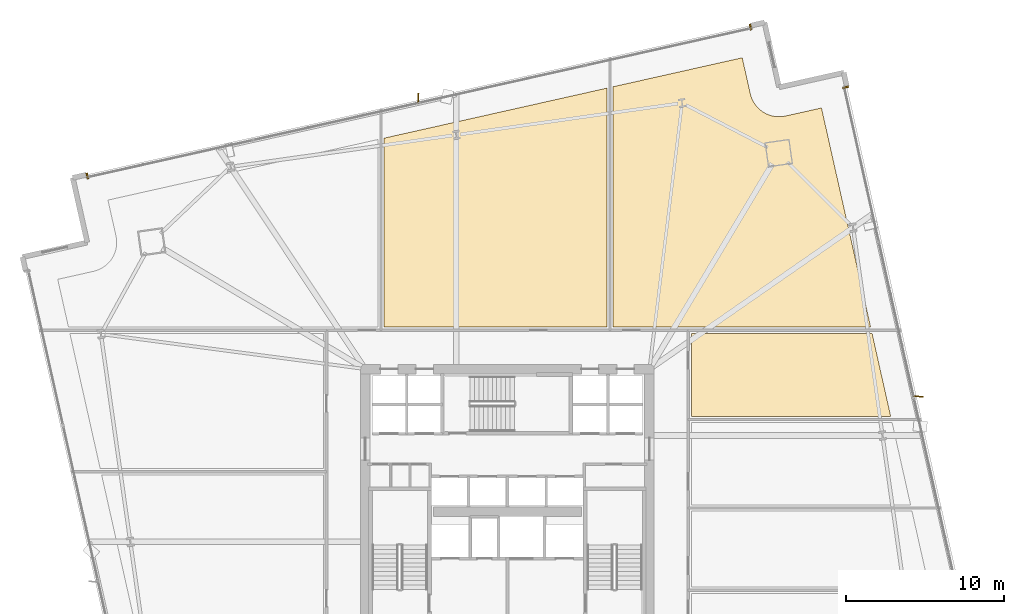
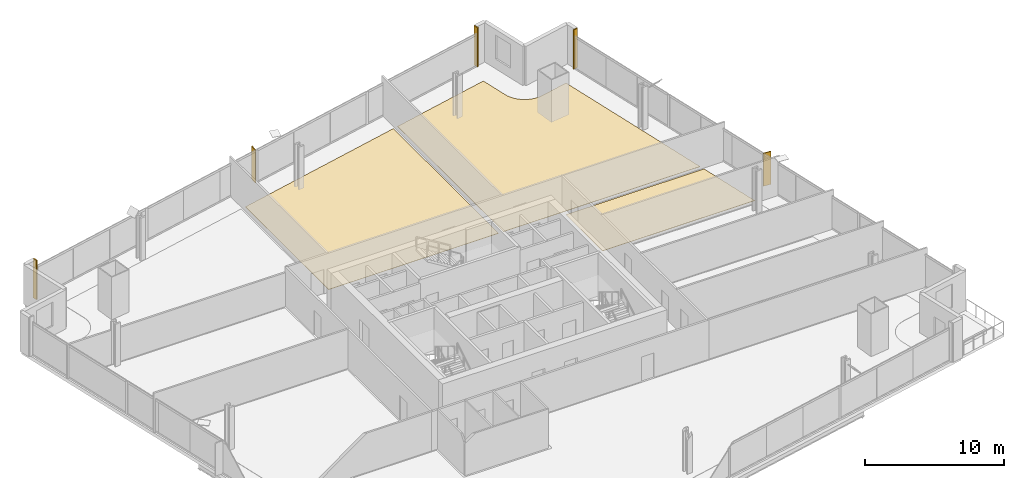
# One storey, part 32 of 32: 6 coverings, 2 shading devices.
"""IFC4 building model written with IfcOpenShell, lengths in metres."""

from ifc_helpers import new_model, si_unit, direction, frame, origin, origin_2d, place, context, subcontext, project, spatial, polyline, rectangle, outline, extrude, source, transform, mapped, material, layer, layer_set, type_object, element, save


model = new_model("IFC4")

# Units and contexts
model_context = context("Model", 3, precision=1e-05, world=origin(), true_north=direction((0.0, 1.0)))
body_context = subcontext(model_context, "Body", "Model", "MODEL_VIEW")
ifc_project = project(units=[si_unit("LENGTHUNIT", "METRE"), si_unit("AREAUNIT", "SQUARE_METRE"), si_unit("VOLUMEUNIT", "CUBIC_METRE"), si_unit("PLANEANGLEUNIT", "RADIAN"), si_unit("MASSUNIT", "GRAM", prefix="KILO")], contexts=[model_context])

# Site, building, storey
site_placement = place(None, origin())
site = spatial("IfcSite", under=ifc_project, at=site_placement, CompositionType="ELEMENT")
building_placement = place(site_placement, origin())
building = spatial("IfcBuilding", under=site, at=building_placement, Name="Haldenkirk Collegiate Tower", CompositionType="ELEMENT")
storey_placement = place(building_placement, frame((0.0, 0.0, 70.199951171875)))
storey = spatial("IfcBuildingStorey", under=building, at=storey_placement, Name="L16", CompositionType="ELEMENT", Elevation=70.199951171875)

# Coverings
ifc_material_1 = material(Name="Polished collegiate terrazzo", Category="concrete")
ifc_layer_1 = layer(ifc_material_1, 0.02490234375)
ifc_layer_set_1 = layer_set([ifc_layer_1], Name="Polished collegiate terrazzo")
covering_type_1 = type_object("IfcCoveringType", Name="COV-FLOOR-TERRAZZO", PredefinedType="FLOORING", material=ifc_layer_set_1)
covering_1_placement = place(storey_placement, origin())
element("IfcCovering", 1, at=covering_1_placement, inside=storey, type_object=covering_type_1, Name="L16 academic room finish 04", PredefinedType="FLOORING", context=body_context, shape_type="SweptSolid", body=[
    extrude(outline(polyline([(50.872802734375, 53.709716796875), (51.383056640625, 51.436279296875), (51.384521484375, 51.430419921875), (51.43017578125, 51.264892578125), (51.433837890625, 51.25390625), (51.49560546875, 51.093505859375), (51.50048828125, 51.0830078125), (51.57763671875, 50.929443359375), (51.58349609375, 50.919189453125), (51.67529296875, 50.774169921875), (51.68212890625, 50.764404296875), (51.787841796875, 50.629150390625), (51.79541015625, 50.6201171875), (51.913818359375, 50.495849609375), (51.92236328125, 50.48779296875), (52.052490234375, 50.37548828125), (52.061767578125, 50.3681640625), (52.2021484375, 50.269287109375), (52.2119140625, 50.262939453125), (52.361328125, 50.17822265625), (52.3720703125, 50.173095703125), (52.529052734375, 50.103515625), (52.539794921875, 50.09912109375), (52.702880859375, 50.04541015625), (52.71435546875, 50.0419921875), (52.8818359375, 50.00439453125), (52.8935546875, 50.00244140625), (53.06396484375, 49.9814453125), (53.07568359375, 49.980712890625), (53.247314453125, 49.976318359375), (53.259033203125, 49.9765625), (53.430419921875, 49.9892578125), (53.442138671875, 49.99072265625), (53.611328125, 50.02001953125), (53.6171875, 50.021240234375), (55.890625, 50.531494140625), (59.006103515625, 36.64990234375), (42.699951171875, 36.64990234375), (42.699951171875, 51.875244140625), (50.872802734375, 53.709716796875)])), origin(), (0.0, 0.0, 1.0), 0.025146484375),
])
covering_2_placement = place(storey_placement, origin())
element("IfcCovering", 2, at=covering_2_placement, inside=storey, type_object=covering_type_1, Name="L16 academic room finish 10", PredefinedType="FLOORING", context=body_context, shape_type="SweptSolid", body=[
    extrude(outline(polyline([(60.2744140625, 31.0), (47.64990234375, 31.0), (47.64990234375, 36.25), (59.095947265625, 36.25), (60.2744140625, 31.0)])), origin(), (0.0, 0.0, 1.0), 0.025146484375),
])
ifc_material_2 = material(Name="Engineered collegiate oak acoustic flooring", Category="wood")
ifc_layer_2 = layer(ifc_material_2, 0.02197265625)
ifc_layer_set_2 = layer_set([ifc_layer_2], Name="Engineered collegiate oak acoustic flooring")
covering_type_2 = type_object("IfcCoveringType", Name="COV-FLOOR-TIMBER", PredefinedType="FLOORING", material=ifc_layer_set_2)
covering_3_placement = place(storey_placement, origin())
element("IfcCovering", 3, at=covering_3_placement, inside=storey, type_object=covering_type_2, Name="L16 academic room finish 03", PredefinedType="FLOORING", context=body_context, shape_type="SweptSolid", body=[
    extrude(outline(polyline([(42.300048828125, 51.78564453125), (42.300048828125, 36.64990234375), (28.199951171875, 36.64990234375), (28.199951171875, 48.620849609375), (42.300048828125, 51.78564453125)])), origin(), (0.0, 0.0, 1.0), 0.02197265625),
])
ifc_material_3 = material(Name="Anodised architectural bronze aluminium", Category="aluminium")
ifc_layer_3 = layer(ifc_material_3, 0.06005859375)
ifc_layer_set_3 = layer_set([ifc_layer_3], Name="Anodised architectural bronze aluminium")
covering_type_3 = type_object("IfcCoveringType", Name="COV-CLAD-BRONZE-60", PredefinedType="CLADDING", material=ifc_layer_set_3)
shared_shape_1 = source(origin(), body_context, "Body", "SweptSolid", [
    extrude(rectangle(XDim=0.10009765625, YDim=0.3798828125, at=origin_2d()), origin(), (0.0, 0.0, 1.0), 3.43994140625),
])
for number, where, z_axis, x_axis, name in (
    (4, (57.421630859375, 51.83837890625, 0.0), (0.0, 0.0, 1.0), (0.218994806262, -0.975726024471, 0.0), "L16 recessed curtain-wall bronze jamb closure EJL"),
    (5, (9.40478515625, 46.226806640625, 0.0), (0.0, 0.0, 1.0), (0.975726024471, 0.218994806262, 0.0), "L16 recessed curtain-wall bronze jamb closure NJL"),
    (6, (51.39990234375, 55.65234375, 0.0), (0.0, 0.0, 1.0), (0.975726024471, 0.218994806262, 0.0), "L16 recessed curtain-wall bronze jamb closure NJR"),
):
    element("IfcCovering", number, at=place(storey_placement, frame(where, z_axis=z_axis, x_axis=x_axis)), inside=storey, type_object=covering_type_3, Name=name, PredefinedType="CLADDING", context=body_context, shape_type="MappedRepresentation", body=[
        mapped(shared_shape_1, transform((0.0, 0.0, 0.0), x_axis=(1.0, 0.0, 0.0), y_axis=(0.0, 1.0, 0.0), z_axis=(0.0, 0.0, 1.0), scale=1.0)),
    ])

# Shading devices
ifc_layer_4 = layer(ifc_material_3, 0.06494140625)
ifc_layer_set_4 = layer_set([ifc_layer_4], Name="Anodised architectural bronze aluminium")
shading_device_type = type_object("IfcShadingDeviceType", Name="SHD-FIN-BRONZE-620", PredefinedType="USERDEFINED", material=ifc_layer_set_4)
shared_shape_2 = source(origin(), body_context, "Body", "SweptSolid", [
    extrude(rectangle(XDim=0.6201171875, YDim=0.06494140625, at=origin_2d()), origin(), (0.0, 0.0, 1.0), 2.89111328125),
])
for number, where, z_axis, x_axis, name in (
    (7, (62.02490234375, 32.263916015625, 0.0), (0.0, 0.0, 1.0), (0.99829120239, -0.058435222518, 0.0), "L16 folded bronze solar fin 1"),
    (8, (30.357421875, 51.1396484375, 0.0), (0.0, 0.0, 1.0), (0.058435222518, 0.99829120239, 0.0), "L16 folded bronze solar fin 1"),
):
    element("IfcShadingDevice", number, at=place(storey_placement, frame(where, z_axis=z_axis, x_axis=x_axis)), inside=storey, type_object=shading_device_type, Name=name, ObjectType="FIN", PredefinedType="USERDEFINED", context=body_context, shape_type="MappedRepresentation", body=[
        mapped(shared_shape_2, transform((0.0, 0.0, 0.0), x_axis=(1.0, 0.0, 0.0), y_axis=(0.0, 1.0, 0.0), z_axis=(0.0, 0.0, 1.0), scale=1.0)),
    ])

save(model, "model.ifc")
